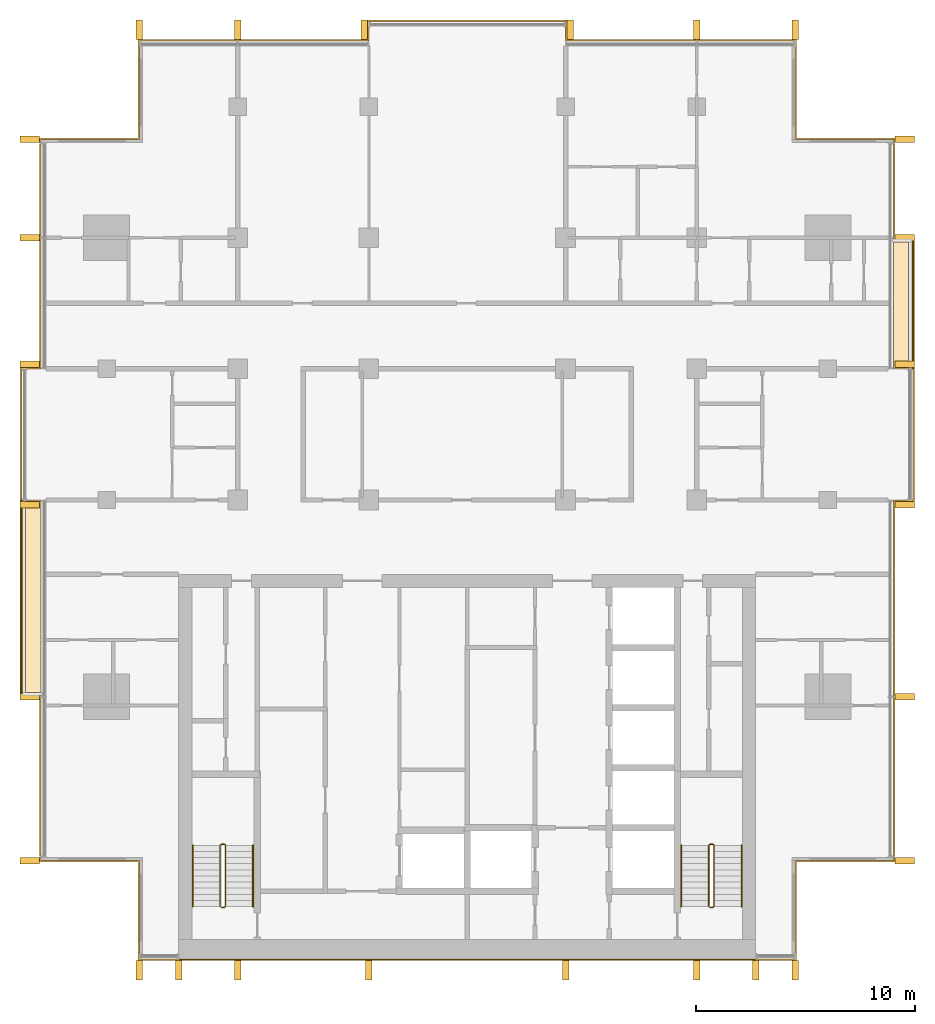
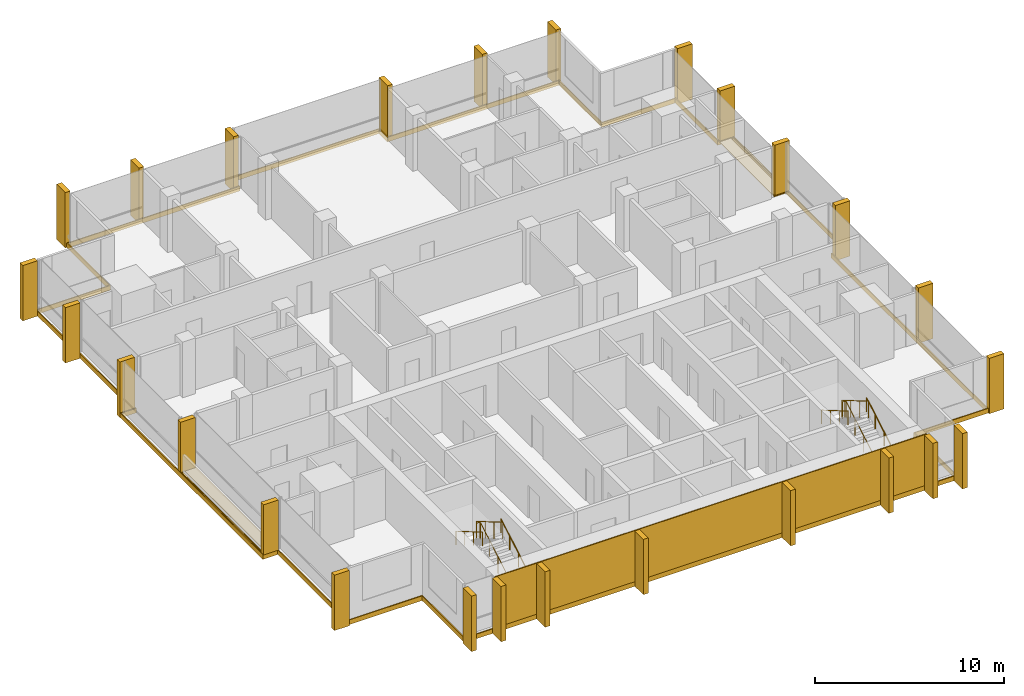
# One storey, part 16 of 16: 26 shading devices, 10 coverings, 6 railings.
"""IFC4 building model written with IfcOpenShell, lengths in metres."""

import ifcopenshell
import ifcopenshell.guid

model = None  # the IFC model being written
_history = None  # IfcOwnerHistory: only IFC2X3 demands one
_inside = {}  # id of a spatial element -> (the spatial element, [elements in it])
_under = {}  # id of a project, library or spatial element -> (it, [spatial elements below it])
_declared = {}  # id of a project -> (the project, [libraries it declares])
_typed = {}  # id of a type object -> (the type object, [elements of that type])
_made_of = {}  # id of a material, layer set ... -> (it, [elements and type objects made of it])


def new_model(schema):
    """Start an empty IFC model of exactly this schema.

    Asked for "IFC4X3", IfcOpenShell would pick the latest addendum, in which some entities
    have other attributes; the version numbers below select the first issue.
    IFC2X3 requires an IfcOwnerHistory on every rooted entity: one is made here for all.
    """
    global model, _history
    if schema == "IFC4X3":
        model = ifcopenshell.file(schema_version=(4, 3, 0, 0))
    else:
        model = ifcopenshell.file(schema=schema)
    _inside.clear()
    _under.clear()
    _declared.clear()
    _typed.clear()
    _made_of.clear()
    _history = None
    if model.schema == "IFC2X3":
        org = make("IfcOrganization", Name="unknown")
        user = make(
            "IfcPersonAndOrganization",
            ThePerson=make("IfcPerson", FamilyName="unknown"),
            TheOrganization=org,
        )
        app = make(
            "IfcApplication",
            ApplicationDeveloper=org,
            Version="unknown",
            ApplicationFullName="unknown",
            ApplicationIdentifier="unknown",
        )
        _history = make(
            "IfcOwnerHistory",
            OwningUser=user,
            OwningApplication=app,
            ChangeAction="ADDED",
            CreationDate=0,
        )
    return model


def make(cls, **values):
    """One entity of the class cls with the attributes given. An attribute that is None is left unset."""
    return model.create_entity(
        cls, **{name: value for name, value in values.items() if value is not None}
    )


def rooted(cls, **values):
    """An entity with a GlobalId (a new one), such as an element, a storey or a relation."""
    return make(cls, GlobalId=ifcopenshell.guid.new(), OwnerHistory=_history, **values)


def si_unit(unit_type, name, prefix=None):
    """IfcSIUnit, for example si_unit("LENGTHUNIT", "METRE", prefix="MILLI")."""
    return make("IfcSIUnit", UnitType=unit_type, Prefix=prefix, Name=name)


def assignment(units):
    """IfcUnitAssignment: the units of a project."""
    return None if units is None else make("IfcUnitAssignment", Units=units)


def point(xyz):
    """IfcCartesianPoint."""
    return None if xyz is None else make("IfcCartesianPoint", Coordinates=xyz)


def direction(xyz):
    """IfcDirection."""
    return None if xyz is None else make("IfcDirection", DirectionRatios=xyz)


def frame(location, z_axis=None, x_axis=None):
    """IfcAxis2Placement3D, a coordinate frame: its origin and axes. An axis left out is left unset."""
    return make(
        "IfcAxis2Placement3D",
        Location=point(location),
        Axis=direction(z_axis),
        RefDirection=direction(x_axis),
    )


def frame_2d(location, x_axis=None):
    """IfcAxis2Placement2D, a coordinate frame in the plane: its origin and x axis."""
    return make(
        "IfcAxis2Placement2D", Location=point(location), RefDirection=direction(x_axis)
    )


def origin():
    """The frame at (0, 0, 0) with its axes left unset."""
    return frame((0.0, 0.0, 0.0))


def origin_2d():
    """The frame at (0, 0) in the plane with its x axis left unset."""
    return frame_2d((0.0, 0.0))


def place(relative_to, where):
    """IfcLocalPlacement: puts the frame where relative to a parent placement (None: the world)."""
    return make(
        "IfcLocalPlacement", PlacementRelTo=relative_to, RelativePlacement=where
    )


def context(
    kind, dimensions, precision=None, world=None, true_north=None, identifier=None
):
    """IfcGeometricRepresentationContext, for example the 3D "Model" context."""
    return make(
        "IfcGeometricRepresentationContext",
        ContextIdentifier=identifier,
        ContextType=kind,
        CoordinateSpaceDimension=dimensions,
        Precision=precision,
        WorldCoordinateSystem=world,
        TrueNorth=true_north,
    )


def subcontext(parent, identifier, kind, view, scale=None):
    """IfcGeometricRepresentationSubContext, for example "Body" below "Model"."""
    return make(
        "IfcGeometricRepresentationSubContext",
        ContextIdentifier=identifier,
        ContextType=kind,
        ParentContext=parent,
        TargetScale=scale,
        TargetView=view,
    )


def project(units=None, contexts=None):
    """IfcProject with its units and contexts."""
    return rooted(
        "IfcProject",
        Name="project",
        RepresentationContexts=contexts,
        UnitsInContext=assignment(units),
    )


def spatial(cls, under=None, at=None, **own):
    """A site, building, storey or space (cls), placed at a placement, below another one or the project."""
    s = rooted(cls, ObjectPlacement=at, **own)
    if under is not None:
        _under.setdefault(under.id(), (under, []))[1].append(s)
    return s


def polyline(points):
    """IfcPolyline through the points."""
    return make("IfcPolyline", Points=[point(p) for p in points])


def profile(cls, at=None, kind="AREA", **sizes):
    """A parametric profile (cls). Its sizes go by their IFC names, for example OverallWidth=200.0."""
    return make(cls, ProfileType=kind, Position=at, **sizes)


def rectangle(**sizes):
    """IfcRectangleProfileDef."""
    return profile("IfcRectangleProfileDef", **sizes)


def circle(**sizes):
    """IfcCircleProfileDef."""
    return profile("IfcCircleProfileDef", **sizes)


def outline(outer, holes=None, kind="AREA"):
    """IfcArbitraryClosedProfileDef: a profile drawn as a closed curve; with holes, ...WithVoids."""
    if holes is None:
        return make("IfcArbitraryClosedProfileDef", ProfileType=kind, OuterCurve=outer)
    return make(
        "IfcArbitraryProfileDefWithVoids",
        ProfileType=kind,
        OuterCurve=outer,
        InnerCurves=holes,
    )


def extrude(swept, where, along, depth):
    """IfcExtrudedAreaSolid: the profile swept, set in the frame where, extruded along a direction by depth."""
    return make(
        "IfcExtrudedAreaSolid",
        SweptArea=swept,
        Position=where,
        ExtrudedDirection=direction(along),
        Depth=depth,
    )


def shape(context_of_items, identifier, shape_type, items):
    """IfcShapeRepresentation: the items that make up one representation, for example the "Body"."""
    return make(
        "IfcShapeRepresentation",
        ContextOfItems=context_of_items,
        RepresentationIdentifier=identifier,
        RepresentationType=shape_type,
        Items=items,
    )


def material(Name=None, Category=None):
    """IfcMaterial."""
    return make("IfcMaterial", Name=Name, Category=Category)


def layer(
    of_material, thickness, ventilated=None, Name=None, Category=None, Priority=None
):
    """IfcMaterialLayer: one layer of a wall or slab, of a material (None: an air gap)."""
    return make(
        "IfcMaterialLayer",
        Material=of_material,
        LayerThickness=thickness,
        IsVentilated=ventilated,
        Name=Name,
        Category=Category,
        Priority=Priority,
    )


def layer_set(layers, Name=None):
    """IfcMaterialLayerSet."""
    return make("IfcMaterialLayerSet", MaterialLayers=layers, LayerSetName=Name)


def made_of(thing, what):
    """Note that an element or type object is made of a material, layer set ...; save() writes the relation."""
    if what is not None:
        _made_of.setdefault(what.id(), (what, []))[1].append(thing)
    return thing


def type_object(cls, material=None, **own):
    """A type object (cls), such as IfcWallType, which elements share."""
    return made_of(rooted(cls, **own), material)


def element(
    cls,
    number,
    at=None,
    inside=None,
    cuts=None,
    type_object=None,
    material=None,
    context=None,
    identifier="Body",
    shape_type=None,
    held_by="IfcProductDefinitionShape",
    body=None,
    shapes=None,
    **own,
):
    """One element of the class cls, such as IfcWall. Its Tag is "e" and its number.

    at: its placement. inside: the storey or other place that contains it. cuts: it is an
    opening in that element (IfcRelVoidsElement). A single representation is given by context,
    identifier, shape_type and body (its items); several are given by shapes. held_by: the class
    of the entity that holds the representations. save() writes the other relations.
    """
    e = rooted(cls, Tag="e%d" % number, ObjectPlacement=at, **own)
    if body is not None:
        shapes = [shape(context, identifier, shape_type, body)]
    if shapes is not None:
        e.Representation = make(held_by, Representations=shapes)
    if inside is not None:
        _inside.setdefault(inside.id(), (inside, []))[1].append(e)
    if cuts is not None:
        rooted(
            "IfcRelVoidsElement", RelatingBuildingElement=cuts, RelatedOpeningElement=e
        )
    if type_object is not None:
        _typed.setdefault(type_object.id(), (type_object, []))[1].append(e)
    return made_of(e, material)


def aggregate(whole, parts):
    """IfcRelAggregates: a whole, such as a stair, and the parts it consists of."""
    return rooted("IfcRelAggregates", RelatingObject=whole, RelatedObjects=parts)


def save(model, path):
    """Write the relations noted so far, then the file.

    IfcRelAggregates (storeys below a building ...), IfcRelContainedInSpatialStructure (elements
    in a storey), IfcRelDefinesByType, IfcRelAssociatesMaterial and IfcRelDeclares: one each for
    every whole, place, type object, material and project.
    """
    for whole, parts in _under.values():
        aggregate(whole, parts)
    for where, things in _inside.values():
        rooted(
            "IfcRelContainedInSpatialStructure",
            RelatedElements=things,
            RelatingStructure=where,
        )
    for kind, things in _typed.values():
        rooted("IfcRelDefinesByType", RelatedObjects=things, RelatingType=kind)
    for what, things in _made_of.values():
        rooted("IfcRelAssociatesMaterial", RelatedObjects=things, RelatingMaterial=what)
    for by, libraries in _declared.values():
        rooted("IfcRelDeclares", RelatingContext=by, RelatedDefinitions=libraries)
    model.write(path)


model = new_model("IFC4")

# Units and contexts
model_context = context("Model", 3, precision=1e-05, world=origin(), true_north=direction((0.0, 1.0)))
body_context = subcontext(model_context, "Body", "Model", "MODEL_VIEW")
ifc_project = project(units=[si_unit("LENGTHUNIT", "METRE"), si_unit("AREAUNIT", "SQUARE_METRE"), si_unit("VOLUMEUNIT", "CUBIC_METRE"), si_unit("PLANEANGLEUNIT", "RADIAN"), si_unit("MASSUNIT", "GRAM", prefix="KILO")], contexts=[model_context])

# Site, building, storey
site_placement = place(None, origin())
site = spatial("IfcSite", under=ifc_project, at=site_placement, CompositionType="ELEMENT")
building_placement = place(site_placement, origin())
building = spatial("IfcBuilding", under=site, at=building_placement, Name="Finial Court Residences", CompositionType="ELEMENT")
storey_placement = place(building_placement, frame((0.0, 0.0, 212.300048828125)))
storey = spatial("IfcBuildingStorey", under=building, at=storey_placement, Name="L53", CompositionType="ELEMENT", Elevation=212.300048828125)

# Coverings
ifc_material_1 = material(Name="Natural limestone", Category="masonry")
ifc_layer_1 = layer(ifc_material_1, 0.06005859375)
ifc_layer_set_1 = layer_set([ifc_layer_1], Name="Limestone cladding to the blind core face 60")
covering_type_1 = type_object("IfcCoveringType", Name="Limestone cladding to the blind core face 60", PredefinedType="CLADDING", material=ifc_layer_set_1)
covering_1_placement = place(storey_placement, origin())
element("IfcCovering", 1, at=covering_1_placement, inside=storey, type_object=covering_type_1, Name="E-L53-CLAD1", PredefinedType="CLADDING", context=body_context, shape_type="SweptSolid", body=[
    extrude(outline(polyline([(-10.5, -25.56005859375), (-10.5, -25.5), (-13.199951171875, -25.5), (-13.199951171875, -25.56005859375), (-10.5, -25.56005859375)])), origin(), (0.0, 0.0, 1.0), 3.300048828125),
])
covering_2_placement = place(storey_placement, origin())
element("IfcCovering", 2, at=covering_2_placement, inside=storey, type_object=covering_type_1, Name="E-L53-CLAD2", PredefinedType="CLADDING", context=body_context, shape_type="SweptSolid", body=[
    extrude(outline(polyline([(-4.5, -25.56005859375), (-4.5, -25.5), (-10.5, -25.5), (-10.5, -25.56005859375), (-4.5, -25.56005859375)])), origin(), (0.0, 0.0, 1.0), 3.300048828125),
])
covering_3_placement = place(storey_placement, origin())
element("IfcCovering", 3, at=covering_3_placement, inside=storey, type_object=covering_type_1, Name="E-L53-CLAD3", PredefinedType="CLADDING", context=body_context, shape_type="SweptSolid", body=[
    extrude(outline(polyline([(4.5, -25.56005859375), (4.5, -25.5), (-4.5, -25.5), (-4.5, -25.56005859375), (4.5, -25.56005859375)])), origin(), (0.0, 0.0, 1.0), 3.300048828125),
])
covering_4_placement = place(storey_placement, origin())
element("IfcCovering", 4, at=covering_4_placement, inside=storey, type_object=covering_type_1, Name="E-L53-CLAD4", PredefinedType="CLADDING", context=body_context, shape_type="SweptSolid", body=[
    extrude(outline(polyline([(10.5, -25.56005859375), (10.5, -25.5), (4.5, -25.5), (4.5, -25.56005859375), (10.5, -25.56005859375)])), origin(), (0.0, 0.0, 1.0), 3.300048828125),
])
covering_5_placement = place(storey_placement, origin())
element("IfcCovering", 5, at=covering_5_placement, inside=storey, type_object=covering_type_1, Name="E-L53-CLAD5", PredefinedType="CLADDING", context=body_context, shape_type="SweptSolid", body=[
    extrude(outline(polyline([(13.199951171875, -25.56005859375), (13.199951171875, -25.5), (10.5, -25.5), (10.5, -25.56005859375), (13.199951171875, -25.56005859375)])), origin(), (0.0, 0.0, 1.0), 3.300048828125),
])

# Shading devices
shading_device_type = type_object("IfcShadingDeviceType", Name="Limestone fin 300 x 900", PredefinedType="USERDEFINED", material=ifc_material_1)
for number, where, z_axis, x_axis, name in (
    (6, (-15.0, 17.010009765625, -0.300048828125), (0.0, 0.0, 1.0), (1.0, 0.0, 0.0), "E-L53-FIN-N1"),
    (7, (-10.5, 17.010009765625, -0.300048828125), (0.0, 0.0, 1.0), (1.0, 0.0, 0.0), "E-L53-FIN-N2"),
    (8, (-4.7099609375, 17.010009765625, -0.300048828125), (0.0, 0.0, 1.0), (1.0, 0.0, 0.0), "E-L53-FIN-N3"),
    (9, (4.7099609375, 17.010009765625, -0.300048828125), (0.0, 0.0, 1.0), (1.0, 0.0, 0.0), "E-L53-FIN-N4"),
    (10, (10.5, 17.010009765625, -0.300048828125), (0.0, 0.0, 1.0), (1.0, 0.0, 0.0), "E-L53-FIN-N5"),
    (11, (15.0, 17.010009765625, -0.300048828125), (0.0, 0.0, 1.0), (1.0, 0.0, 0.0), "E-L53-FIN-N6"),
):
    element("IfcShadingDevice", number, at=place(storey_placement, frame(where, z_axis=z_axis, x_axis=x_axis)), inside=storey, type_object=shading_device_type, Name=name, ObjectType="FIN", PredefinedType="USERDEFINED", context=body_context, shape_type="SweptSolid", body=[
        extrude(rectangle(XDim=0.300048828125, YDim=0.89990234375, at=origin_2d()), origin(), (0.0, 0.0, 1.0), 3.580078125),
    ])
for number, where, z_axis, x_axis, name in (
    (12, (20.010009765625, -21.0, -0.300048828125), (0.0, 0.0, 1.0), (1.0, 0.0, 0.0), "E-L53-FIN-E7"),
    (13, (20.010009765625, -13.5, -0.300048828125), (0.0, 0.0, 1.0), (1.0, 0.0, 0.0), "E-L53-FIN-E8"),
    (14, (20.010009765625, -4.7099609375, -0.300048828125), (0.0, 0.0, 1.0), (1.0, 0.0, 0.0), "E-L53-FIN-E9"),
):
    element("IfcShadingDevice", number, at=place(storey_placement, frame(where, z_axis=z_axis, x_axis=x_axis)), inside=storey, type_object=shading_device_type, Name=name, ObjectType="FIN", PredefinedType="USERDEFINED", context=body_context, shape_type="SweptSolid", body=[
        extrude(rectangle(XDim=0.89990234375, YDim=0.300048828125, at=origin_2d()), origin(), (0.0, 0.0, 1.0), 3.580078125),
    ])
for number, where, z_axis, x_axis, name in (
    (15, (20.010009765625, 1.7099609375, 0.0400390625), (0.0, 0.0, 1.0), (1.0, 0.0, 0.0), "E-L53-FIN-E10"),
    (16, (20.010009765625, 7.5, 0.0400390625), (0.0, 0.0, 1.0), (1.0, 0.0, 0.0), "E-L53-FIN-E11"),
):
    element("IfcShadingDevice", number, at=place(storey_placement, frame(where, z_axis=z_axis, x_axis=x_axis)), inside=storey, type_object=shading_device_type, Name=name, ObjectType="FIN", PredefinedType="USERDEFINED", context=body_context, shape_type="SweptSolid", body=[
        extrude(rectangle(XDim=0.89990234375, YDim=0.300048828125, at=origin_2d()), origin(), (0.0, 0.0, 1.0), 3.239990234375),
    ])
shading_device_1_placement = place(storey_placement, frame((20.010009765625, 12.0, -0.300048828125), z_axis=(0.0, 0.0, 1.0), x_axis=(1.0, 0.0, 0.0)))
element("IfcShadingDevice", 17, at=shading_device_1_placement, inside=storey, type_object=shading_device_type, Name="E-L53-FIN-E12", ObjectType="FIN", PredefinedType="USERDEFINED", context=body_context, shape_type="SweptSolid", body=[
    extrude(rectangle(XDim=0.89990234375, YDim=0.300048828125, at=origin_2d()), origin(), (0.0, 0.0, 1.0), 3.580078125),
])
for number, where, z_axis, x_axis, name in (
    (18, (-15.0, -26.010009765625, -0.300048828125), (0.0, 0.0, 1.0), (1.0, 0.0, 0.0), "E-L53-FIN-S13"),
    (19, (-13.199951171875, -26.010009765625, -0.300048828125), (0.0, 0.0, 1.0), (1.0, 0.0, 0.0), "E-L53-FIN-S14"),
    (20, (-10.5, -26.010009765625, -0.300048828125), (0.0, 0.0, 1.0), (1.0, 0.0, 0.0), "E-L53-FIN-S15"),
    (21, (-4.5, -26.010009765625, -0.300048828125), (0.0, 0.0, 1.0), (1.0, 0.0, 0.0), "E-L53-FIN-S16"),
    (22, (4.5, -26.010009765625, -0.300048828125), (0.0, 0.0, 1.0), (1.0, 0.0, 0.0), "E-L53-FIN-S17"),
    (23, (10.5, -26.010009765625, -0.300048828125), (0.0, 0.0, 1.0), (1.0, 0.0, 0.0), "E-L53-FIN-S18"),
    (24, (13.199951171875, -26.010009765625, -0.300048828125), (0.0, 0.0, 1.0), (1.0, 0.0, 0.0), "E-L53-FIN-S19"),
    (25, (15.0, -26.010009765625, -0.300048828125), (0.0, 0.0, 1.0), (1.0, 0.0, 0.0), "E-L53-FIN-S20"),
):
    element("IfcShadingDevice", number, at=place(storey_placement, frame(where, z_axis=z_axis, x_axis=x_axis)), inside=storey, type_object=shading_device_type, Name=name, ObjectType="FIN", PredefinedType="USERDEFINED", context=body_context, shape_type="SweptSolid", body=[
        extrude(rectangle(XDim=0.300048828125, YDim=0.89990234375, at=origin_2d()), origin(), (0.0, 0.0, 1.0), 3.580078125),
    ])
shading_device_2_placement = place(storey_placement, frame((-20.010009765625, -21.0, -0.300048828125), z_axis=(0.0, 0.0, 1.0), x_axis=(1.0, 0.0, 0.0)))
element("IfcShadingDevice", 26, at=shading_device_2_placement, inside=storey, type_object=shading_device_type, Name="E-L53-FIN-W21", ObjectType="FIN", PredefinedType="USERDEFINED", context=body_context, shape_type="SweptSolid", body=[
    extrude(rectangle(XDim=0.89990234375, YDim=0.300048828125, at=origin_2d()), origin(), (0.0, 0.0, 1.0), 3.580078125),
])
for number, where, z_axis, x_axis, name in (
    (27, (-20.010009765625, -13.5, 0.0400390625), (0.0, 0.0, 1.0), (1.0, 0.0, 0.0), "E-L53-FIN-W22"),
    (28, (-20.010009765625, -4.7099609375, 0.0400390625), (0.0, 0.0, 1.0), (1.0, 0.0, 0.0), "E-L53-FIN-W23"),
):
    element("IfcShadingDevice", number, at=place(storey_placement, frame(where, z_axis=z_axis, x_axis=x_axis)), inside=storey, type_object=shading_device_type, Name=name, ObjectType="FIN", PredefinedType="USERDEFINED", context=body_context, shape_type="SweptSolid", body=[
        extrude(rectangle(XDim=0.89990234375, YDim=0.300048828125, at=origin_2d()), origin(), (0.0, 0.0, 1.0), 3.239990234375),
    ])
for number, where, z_axis, x_axis, name in (
    (29, (-20.010009765625, 1.7099609375, -0.300048828125), (0.0, 0.0, 1.0), (1.0, 0.0, 0.0), "E-L53-FIN-W24"),
    (30, (-20.010009765625, 7.5, -0.300048828125), (0.0, 0.0, 1.0), (1.0, 0.0, 0.0), "E-L53-FIN-W25"),
    (31, (-20.010009765625, 12.0, -0.300048828125), (0.0, 0.0, 1.0), (1.0, 0.0, 0.0), "E-L53-FIN-W26"),
):
    element("IfcShadingDevice", number, at=place(storey_placement, frame(where, z_axis=z_axis, x_axis=x_axis)), inside=storey, type_object=shading_device_type, Name=name, ObjectType="FIN", PredefinedType="USERDEFINED", context=body_context, shape_type="SweptSolid", body=[
        extrude(rectangle(XDim=0.89990234375, YDim=0.300048828125, at=origin_2d()), origin(), (0.0, 0.0, 1.0), 3.580078125),
    ])

# Coverings
ifc_material_2 = material(Name="Pale limestone", Category="masonry")
ifc_layer_2 = layer(ifc_material_2, 0.06005859375)
ifc_layer_set_2 = layer_set([ifc_layer_2], Name="Pale limestone slab-edge band 60")
covering_type_2 = type_object("IfcCoveringType", Name="Pale limestone slab-edge band 60", PredefinedType="CLADDING", material=ifc_layer_set_2)
covering_6_placement = place(storey_placement, frame((0.0, 0.0, -0.300048828125)))
element("IfcCovering", 32, at=covering_6_placement, inside=storey, type_object=covering_type_2, Name="E-L53-BAND1", PredefinedType="CLADDING", context=body_context, shape_type="SweptSolid", body=[
    extrude(outline(polyline([(-19.56005859375, 1.56005859375), (-19.56005859375, 12.06005859375), (-15.06005859375, 12.06005859375), (-15.06005859375, 16.56005859375), (-4.56005859375, 16.56005859375), (-4.56005859375, 17.4599609375), (4.56005859375, 17.4599609375), (4.56005859375, 16.56005859375), (15.06005859375, 16.56005859375), (15.06005859375, 12.06005859375), (19.56005859375, 12.06005859375), (19.56005859375, 7.56005859375), (20.4599609375, 7.56005859375), (20.4599609375, -4.56005859375), (19.56005859375, -4.56005859375), (19.56005859375, -21.06005859375), (15.06005859375, -21.06005859375), (15.06005859375, -25.56005859375), (-15.06005859375, -25.56005859375), (-15.06005859375, -21.06005859375), (-19.56005859375, -21.06005859375), (-19.56005859375, -13.56005859375), (-20.4599609375, -13.56005859375), (-20.4599609375, 1.56005859375), (-19.56005859375, 1.56005859375)]), holes=[polyline([(-20.39990234375, -13.5), (-19.5, -13.5), (-19.5, -21.0), (-15.0, -21.0), (-15.0, -25.5), (15.0, -25.5), (15.0, -21.0), (19.5, -21.0), (19.5, -4.5), (20.39990234375, -4.5), (20.39990234375, 1.5), (20.39990234375, 7.5), (19.5, 7.5), (19.5, 12.0), (15.0, 12.0), (15.0, 16.5), (4.5, 16.5), (4.5, 17.39990234375), (-4.5, 17.39990234375), (-4.5, 16.5), (-15.0, 16.5), (-15.0, 12.0), (-19.5, 12.0), (-19.5, 1.5), (-20.39990234375, 1.5), (-20.39990234375, -4.5), (-20.39990234375, -13.5)])]), origin(), (0.0, 0.0, 1.0), 0.300048828125),
])
ifc_material_3 = material(Name="Bitumen membrane")
ifc_layer_3 = layer(ifc_material_3, 0.0400390625)
ifc_layer_set_3 = layer_set([ifc_layer_3], Name="Push box roofing, bitumen membrane 40")
covering_type_3 = type_object("IfcCoveringType", Name="Push box roofing, bitumen membrane 40", PredefinedType="ROOFING", material=ifc_layer_set_3)
covering_7_placement = place(storey_placement, origin())
element("IfcCovering", 33, at=covering_7_placement, inside=storey, type_object=covering_type_3, Name="E-L53-LED1", PredefinedType="ROOFING", context=body_context, shape_type="SweptSolid", body=[
    extrude(outline(polyline([(20.35009765625, 1.5), (20.35009765625, 7.300048828125), (20.35009765625, 7.300048828125), (20.35009765625, 7.449951171875), (19.5, 7.449951171875), (19.5, 7.5), (20.39990234375, 7.5), (20.39990234375, 1.5), (20.35009765625, 1.5)])), origin(), (0.0, 0.0, 1.0), 0.0400390625),
])
covering_8_placement = place(storey_placement, origin())
element("IfcCovering", 34, at=covering_8_placement, inside=storey, type_object=covering_type_3, Name="E-L53-LED1b", PredefinedType="ROOFING", context=body_context, shape_type="SweptSolid", body=[
    extrude(outline(polyline([(19.5, 1.5), (19.5, 7.300048828125), (20.199951171875, 7.300048828125), (20.199951171875, 1.5), (19.5, 1.5)])), origin(), (0.0, 0.0, 1.0), 0.0400390625),
])
covering_9_placement = place(storey_placement, origin())
element("IfcCovering", 35, at=covering_9_placement, inside=storey, type_object=covering_type_3, Name="E-L53-LED2", PredefinedType="ROOFING", context=body_context, shape_type="SweptSolid", body=[
    extrude(outline(polyline([(-20.35009765625, -4.5), (-20.35009765625, -13.300048828125), (-20.35009765625, -13.300048828125), (-20.35009765625, -13.449951171875), (-19.5, -13.449951171875), (-19.5, -13.5), (-20.39990234375, -13.5), (-20.39990234375, -4.5), (-20.35009765625, -4.5)])), origin(), (0.0, 0.0, 1.0), 0.0400390625),
])
covering_10_placement = place(storey_placement, origin())
element("IfcCovering", 36, at=covering_10_placement, inside=storey, type_object=covering_type_3, Name="E-L53-LED2b", PredefinedType="ROOFING", context=body_context, shape_type="SweptSolid", body=[
    extrude(outline(polyline([(-19.5, -4.5), (-19.5, -13.300048828125), (-20.199951171875, -13.300048828125), (-20.199951171875, -4.5), (-19.5, -4.5)])), origin(), (0.0, 0.0, 1.0), 0.0400390625),
])

# Railings
ifc_material_4 = material(Name="Stainless steel railing", Category="steel")
railing_type_1 = type_object("IfcRailingType", Name="Stair guard 1100", PredefinedType="GUARDRAIL", material=ifc_material_4)
railing_1_placement = place(storey_placement, frame((-11.10009765625, -23.14990234375, 0.0)))
element("IfcRailing", 37, at=railing_1_placement, inside=storey, type_object=railing_type_1, Name="L53 ST-1 stair guard 1", PredefinedType="GUARDRAIL", context=body_context, shape_type="SweptSolid", body=[
    extrude(circle(Radius=0.02392578125, at=origin_2d()), frame((0.0, 0.0, 1.076171875), z_axis=(-1.0, 0.0, 0.0), x_axis=(0.0, -1.0, 0.0)), (0.0, 0.0, 1.0), 0.14990234375),
    extrude(circle(Radius=0.02392578125, at=origin_2d()), frame((-0.14990234375, 0.0, 1.076171875), z_axis=(0.760004195007, 0.189305074214, 0.621737253547), x_axis=(-0.241699205484, 0.970351222016, 0.0)), (0.0, 0.0, 1.0), 0.26318359375),
    extrude(circle(Radius=0.02392578125, at=origin_2d()), frame((0.050048828125, 0.0498046875, 1.23974609375), z_axis=(0.0, 0.863360870873, 0.504586966384), x_axis=(-1.0, 0.0, 0.0)), (0.0, 0.0, 1.0), 3.2431640625),
    extrude(circle(Radius=0.02392578125, at=origin_2d()), frame((0.050048828125, 2.849853515625, 2.8759765625), z_axis=(-0.707106781187, 0.707106781187, 0.0), x_axis=(-0.707106781187, -0.707106781187, 0.0)), (0.0, 0.0, 1.0), 0.07080078125),
    extrude(circle(Radius=0.02392578125, at=origin_2d()), frame((0.0, 2.89990234375, 2.8759765625), z_axis=(-1.0, 0.0, 0.0), x_axis=(0.0, -1.0, 0.0)), (0.0, 0.0, 1.0), 0.14990234375),
    extrude(circle(Radius=0.02392578125, at=origin_2d()), frame((-0.14990234375, 2.89990234375, 2.8759765625), z_axis=(-0.280808744504, -0.280808744504, 0.917765164963), x_axis=(0.707106781187, -0.707106781187, 0.0)), (0.0, 0.0, 1.0), 0.17822265625),
    extrude(circle(Radius=0.02392578125, at=origin_2d()), frame((-0.199951171875, 2.849853515625, 3.03955078125), z_axis=(0.0, -0.863393664356, 0.504530851732), x_axis=(1.0, 0.0, 0.0)), (0.0, 0.0, 1.0), 3.2431640625),
    extrude(circle(Radius=0.02099609375, at=origin_2d()), origin(), (0.0, 0.0, 1.0), 1.052001953125),
    extrude(circle(Radius=0.02099609375, at=origin_2d()), frame((-0.14990234375, 0.0, 0.0)), (0.0, 0.0, 1.0), 1.052001953125),
    extrude(circle(Radius=0.02099609375, at=origin_2d()), frame((0.050048828125, 0.0498046875, 0.16357421875)), (0.0, 0.0, 1.0), 1.052001953125),
    extrude(circle(Radius=0.02099609375, at=origin_2d()), frame((0.050048828125, 0.983154296875, 0.708984375)), (0.0, 0.0, 1.0), 1.052001953125),
    extrude(circle(Radius=0.02099609375, at=origin_2d()), frame((0.050048828125, 1.91650390625, 1.254638671875)), (0.0, 0.0, 1.0), 1.052001953125),
    extrude(circle(Radius=0.02099609375, at=origin_2d()), frame((0.050048828125, 2.849853515625, 1.800048828125)), (0.0, 0.0, 1.0), 1.052001953125),
    extrude(circle(Radius=0.02099609375, at=origin_2d()), frame((0.0, 2.89990234375, 1.800048828125)), (0.0, 0.0, 1.0), 1.052001953125),
    extrude(circle(Radius=0.02099609375, at=origin_2d()), frame((-0.14990234375, 2.89990234375, 1.800048828125)), (0.0, 0.0, 1.0), 1.052001953125),
    extrude(circle(Radius=0.02099609375, at=origin_2d()), frame((-0.199951171875, 2.849853515625, 1.963623046875)), (0.0, 0.0, 1.0), 1.052001953125),
    extrude(circle(Radius=0.02099609375, at=origin_2d()), frame((-0.199951171875, 1.91650390625, 2.509033203125)), (0.0, 0.0, 1.0), 1.052001953125),
    extrude(circle(Radius=0.02099609375, at=origin_2d()), frame((-0.199951171875, 0.983154296875, 3.054443359375)), (0.0, 0.0, 1.0), 1.052001953125),
    extrude(circle(Radius=0.02099609375, at=origin_2d()), frame((-0.199951171875, 0.0498046875, 3.599853515625)), (0.0, 0.0, 1.0), 1.052001953125),
])
railing_2_placement = place(storey_placement, frame((11.25, -23.14990234375, 0.0)))
element("IfcRailing", 38, at=railing_2_placement, inside=storey, type_object=railing_type_1, Name="L53 ST-2 stair guard 1", PredefinedType="GUARDRAIL", context=body_context, shape_type="SweptSolid", body=[
    extrude(circle(Radius=0.02392578125, at=origin_2d()), frame((0.0, 0.0, 1.076171875), z_axis=(-1.0, 0.0, 0.0), x_axis=(0.0, -1.0, 0.0)), (0.0, 0.0, 1.0), 0.14990234375),
    extrude(circle(Radius=0.02392578125, at=origin_2d()), frame((-0.14990234375, 0.0, 1.076171875), z_axis=(0.760004195007, 0.189305074214, 0.621737253547), x_axis=(-0.241699205484, 0.970351222016, 0.0)), (0.0, 0.0, 1.0), 0.26318359375),
    extrude(circle(Radius=0.02392578125, at=origin_2d()), frame((0.050048828125, 0.0498046875, 1.23974609375), z_axis=(0.0, 0.863360870873, 0.504586966384), x_axis=(-1.0, 0.0, 0.0)), (0.0, 0.0, 1.0), 3.2431640625),
    extrude(circle(Radius=0.02392578125, at=origin_2d()), frame((0.050048828125, 2.849853515625, 2.8759765625), z_axis=(-0.707106781187, 0.707106781187, 0.0), x_axis=(-0.707106781187, -0.707106781187, 0.0)), (0.0, 0.0, 1.0), 0.07080078125),
    extrude(circle(Radius=0.02392578125, at=origin_2d()), frame((0.0, 2.89990234375, 2.8759765625), z_axis=(-1.0, 0.0, 0.0), x_axis=(0.0, -1.0, 0.0)), (0.0, 0.0, 1.0), 0.14990234375),
    extrude(circle(Radius=0.02392578125, at=origin_2d()), frame((-0.14990234375, 2.89990234375, 2.8759765625), z_axis=(-0.280808744504, -0.280808744504, 0.917765164963), x_axis=(0.707106781187, -0.707106781187, 0.0)), (0.0, 0.0, 1.0), 0.17822265625),
    extrude(circle(Radius=0.02392578125, at=origin_2d()), frame((-0.199951171875, 2.849853515625, 3.03955078125), z_axis=(0.0, -0.863393664356, 0.504530851732), x_axis=(1.0, 0.0, 0.0)), (0.0, 0.0, 1.0), 3.2431640625),
    extrude(circle(Radius=0.02099609375, at=origin_2d()), origin(), (0.0, 0.0, 1.0), 1.052001953125),
    extrude(circle(Radius=0.02099609375, at=origin_2d()), frame((-0.14990234375, 0.0, 0.0)), (0.0, 0.0, 1.0), 1.052001953125),
    extrude(circle(Radius=0.02099609375, at=origin_2d()), frame((0.050048828125, 0.0498046875, 0.16357421875)), (0.0, 0.0, 1.0), 1.052001953125),
    extrude(circle(Radius=0.02099609375, at=origin_2d()), frame((0.050048828125, 0.983154296875, 0.708984375)), (0.0, 0.0, 1.0), 1.052001953125),
    extrude(circle(Radius=0.02099609375, at=origin_2d()), frame((0.050048828125, 1.91650390625, 1.254638671875)), (0.0, 0.0, 1.0), 1.052001953125),
    extrude(circle(Radius=0.02099609375, at=origin_2d()), frame((0.050048828125, 2.849853515625, 1.800048828125)), (0.0, 0.0, 1.0), 1.052001953125),
    extrude(circle(Radius=0.02099609375, at=origin_2d()), frame((0.0, 2.89990234375, 1.800048828125)), (0.0, 0.0, 1.0), 1.052001953125),
    extrude(circle(Radius=0.02099609375, at=origin_2d()), frame((-0.14990234375, 2.89990234375, 1.800048828125)), (0.0, 0.0, 1.0), 1.052001953125),
    extrude(circle(Radius=0.02099609375, at=origin_2d()), frame((-0.199951171875, 2.849853515625, 1.963623046875)), (0.0, 0.0, 1.0), 1.052001953125),
    extrude(circle(Radius=0.02099609375, at=origin_2d()), frame((-0.199951171875, 1.91650390625, 2.509033203125)), (0.0, 0.0, 1.0), 1.052001953125),
    extrude(circle(Radius=0.02099609375, at=origin_2d()), frame((-0.199951171875, 0.983154296875, 3.054443359375)), (0.0, 0.0, 1.0), 1.052001953125),
    extrude(circle(Radius=0.02099609375, at=origin_2d()), frame((-0.199951171875, 0.0498046875, 3.599853515625)), (0.0, 0.0, 1.0), 1.052001953125),
])
railing_type_2 = type_object("IfcRailingType", Name="Stair handrail 900", PredefinedType="HANDRAIL", material=ifc_material_4)
railing_3_placement = place(storey_placement, frame((-9.800048828125, -23.10009765625, 0.16357421875)))
element("IfcRailing", 39, at=railing_3_placement, inside=storey, type_object=railing_type_2, Name="L53 ST-1 stair handrail 1", PredefinedType="HANDRAIL", context=body_context, shape_type="SweptSolid", body=[
    extrude(circle(Radius=0.02392578125, at=origin_2d()), frame((0.0, 0.0, 0.8759765625), z_axis=(0.0, 0.863360870873, 0.504586966384), x_axis=(-1.0, 0.0, 0.0)), (0.0, 0.0, 1.0), 3.2431640625),
    extrude(circle(Radius=0.02099609375, at=origin_2d()), origin(), (0.0, 0.0, 1.0), 0.851806640625),
    extrude(circle(Radius=0.02099609375, at=origin_2d()), frame((0.0, 0.933349609375, 0.54541015625)), (0.0, 0.0, 1.0), 0.851806640625),
    extrude(circle(Radius=0.02099609375, at=origin_2d()), frame((0.0, 1.86669921875, 1.091064453125)), (0.0, 0.0, 1.0), 0.851806640625),
    extrude(circle(Radius=0.02099609375, at=origin_2d()), frame((0.0, 2.800048828125, 1.636474609375)), (0.0, 0.0, 1.0), 0.851806640625),
])
railing_4_placement = place(storey_placement, frame((-12.550048828125, -20.300048828125, 1.963623046875)))
element("IfcRailing", 40, at=railing_4_placement, inside=storey, type_object=railing_type_2, Name="L53 ST-1 stair handrail 2", PredefinedType="HANDRAIL", context=body_context, shape_type="SweptSolid", body=[
    extrude(circle(Radius=0.02392578125, at=origin_2d()), frame((0.0, 0.0, 0.8759765625), z_axis=(0.0, -0.863393664356, 0.504530851732), x_axis=(1.0, 0.0, 0.0)), (0.0, 0.0, 1.0), 3.2431640625),
    extrude(circle(Radius=0.02099609375, at=origin_2d()), origin(), (0.0, 0.0, 1.0), 0.851806640625),
    extrude(circle(Radius=0.02099609375, at=origin_2d()), frame((0.0, -0.933349609375, 0.54541015625)), (0.0, 0.0, 1.0), 0.851806640625),
    extrude(circle(Radius=0.02099609375, at=origin_2d()), frame((0.0, -1.86669921875, 1.0908203125)), (0.0, 0.0, 1.0), 0.851806640625),
    extrude(circle(Radius=0.02099609375, at=origin_2d()), frame((0.0, -2.800048828125, 1.63623046875)), (0.0, 0.0, 1.0), 0.851806640625),
])
railing_5_placement = place(storey_placement, frame((12.550048828125, -23.10009765625, 0.16357421875)))
element("IfcRailing", 41, at=railing_5_placement, inside=storey, type_object=railing_type_2, Name="L53 ST-2 stair handrail 1", PredefinedType="HANDRAIL", context=body_context, shape_type="SweptSolid", body=[
    extrude(circle(Radius=0.02392578125, at=origin_2d()), frame((0.0, 0.0, 0.8759765625), z_axis=(0.0, 0.863360870873, 0.504586966384), x_axis=(-1.0, 0.0, 0.0)), (0.0, 0.0, 1.0), 3.2431640625),
    extrude(circle(Radius=0.02099609375, at=origin_2d()), origin(), (0.0, 0.0, 1.0), 0.851806640625),
    extrude(circle(Radius=0.02099609375, at=origin_2d()), frame((0.0, 0.933349609375, 0.54541015625)), (0.0, 0.0, 1.0), 0.851806640625),
    extrude(circle(Radius=0.02099609375, at=origin_2d()), frame((0.0, 1.86669921875, 1.091064453125)), (0.0, 0.0, 1.0), 0.851806640625),
    extrude(circle(Radius=0.02099609375, at=origin_2d()), frame((0.0, 2.800048828125, 1.636474609375)), (0.0, 0.0, 1.0), 0.851806640625),
])
railing_6_placement = place(storey_placement, frame((9.800048828125, -20.300048828125, 1.963623046875)))
element("IfcRailing", 42, at=railing_6_placement, inside=storey, type_object=railing_type_2, Name="L53 ST-2 stair handrail 2", PredefinedType="HANDRAIL", context=body_context, shape_type="SweptSolid", body=[
    extrude(circle(Radius=0.02392578125, at=origin_2d()), frame((0.0, 0.0, 0.8759765625), z_axis=(0.0, -0.863393664356, 0.504530851732), x_axis=(1.0, 0.0, 0.0)), (0.0, 0.0, 1.0), 3.2431640625),
    extrude(circle(Radius=0.02099609375, at=origin_2d()), origin(), (0.0, 0.0, 1.0), 0.851806640625),
    extrude(circle(Radius=0.02099609375, at=origin_2d()), frame((0.0, -0.933349609375, 0.54541015625)), (0.0, 0.0, 1.0), 0.851806640625),
    extrude(circle(Radius=0.02099609375, at=origin_2d()), frame((0.0, -1.86669921875, 1.0908203125)), (0.0, 0.0, 1.0), 0.851806640625),
    extrude(circle(Radius=0.02099609375, at=origin_2d()), frame((0.0, -2.800048828125, 1.63623046875)), (0.0, 0.0, 1.0), 0.851806640625),
])

save(model, "model.ifc")
